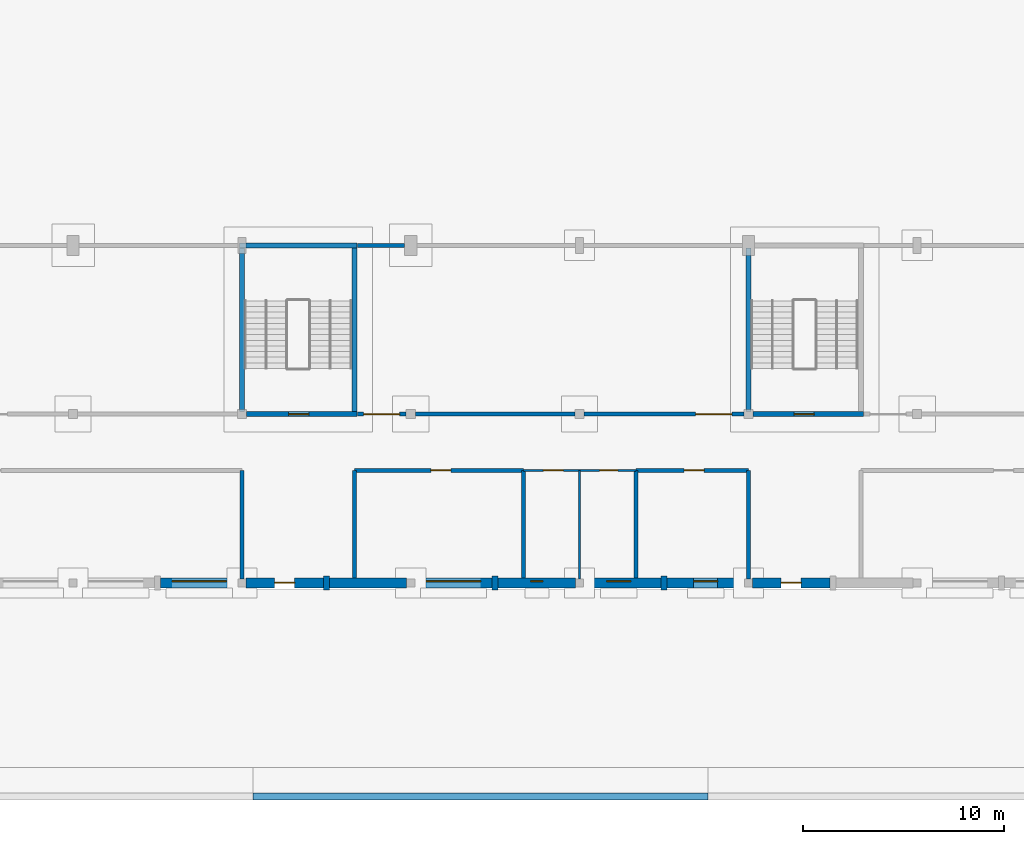
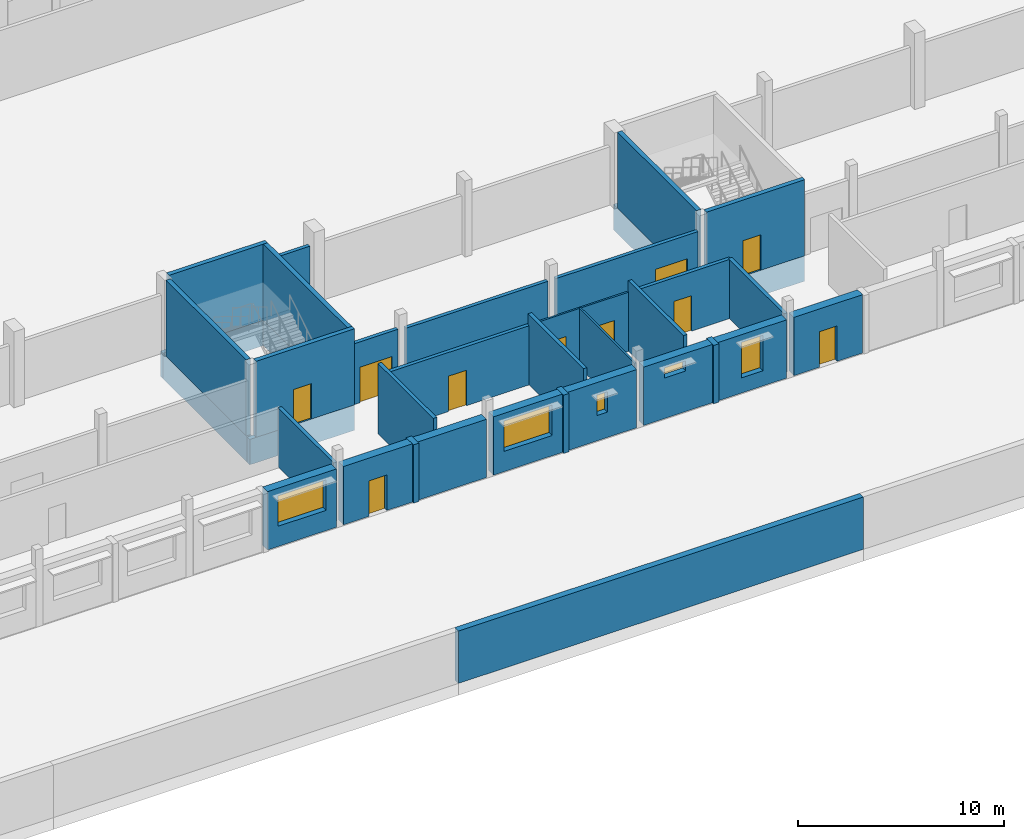
# One storey, part 20 of 36: 37 walls, 10 doors, 5 windows, 15 openings.
"""IFC4 building model written with IfcOpenShell, lengths in metres."""

import ifcopenshell
import ifcopenshell.guid

model = None  # the IFC model being written
_history = None  # IfcOwnerHistory: only IFC2X3 demands one
_inside = {}  # id of a spatial element -> (the spatial element, [elements in it])
_under = {}  # id of a project, library or spatial element -> (it, [spatial elements below it])
_declared = {}  # id of a project -> (the project, [libraries it declares])
_typed = {}  # id of a type object -> (the type object, [elements of that type])
_made_of = {}  # id of a material, layer set ... -> (it, [elements and type objects made of it])


def new_model(schema):
    """Start an empty IFC model of exactly this schema.

    Asked for "IFC4X3", IfcOpenShell would pick the latest addendum, in which some entities
    have other attributes; the version numbers below select the first issue.
    IFC2X3 requires an IfcOwnerHistory on every rooted entity: one is made here for all.
    """
    global model, _history
    if schema == "IFC4X3":
        model = ifcopenshell.file(schema_version=(4, 3, 0, 0))
    else:
        model = ifcopenshell.file(schema=schema)
    _inside.clear()
    _under.clear()
    _declared.clear()
    _typed.clear()
    _made_of.clear()
    _history = None
    if model.schema == "IFC2X3":
        org = make("IfcOrganization", Name="unknown")
        user = make(
            "IfcPersonAndOrganization",
            ThePerson=make("IfcPerson", FamilyName="unknown"),
            TheOrganization=org,
        )
        app = make(
            "IfcApplication",
            ApplicationDeveloper=org,
            Version="unknown",
            ApplicationFullName="unknown",
            ApplicationIdentifier="unknown",
        )
        _history = make(
            "IfcOwnerHistory",
            OwningUser=user,
            OwningApplication=app,
            ChangeAction="ADDED",
            CreationDate=0,
        )
    return model


def make(cls, **values):
    """One entity of the class cls with the attributes given. An attribute that is None is left unset."""
    return model.create_entity(
        cls, **{name: value for name, value in values.items() if value is not None}
    )


def rooted(cls, **values):
    """An entity with a GlobalId (a new one), such as an element, a storey or a relation."""
    return make(cls, GlobalId=ifcopenshell.guid.new(), OwnerHistory=_history, **values)


def si_unit(unit_type, name, prefix=None):
    """IfcSIUnit, for example si_unit("LENGTHUNIT", "METRE", prefix="MILLI")."""
    return make("IfcSIUnit", UnitType=unit_type, Prefix=prefix, Name=name)


def assignment(units):
    """IfcUnitAssignment: the units of a project."""
    return None if units is None else make("IfcUnitAssignment", Units=units)


def point(xyz):
    """IfcCartesianPoint."""
    return None if xyz is None else make("IfcCartesianPoint", Coordinates=xyz)


def direction(xyz):
    """IfcDirection."""
    return None if xyz is None else make("IfcDirection", DirectionRatios=xyz)


def frame(location, z_axis=None, x_axis=None):
    """IfcAxis2Placement3D, a coordinate frame: its origin and axes. An axis left out is left unset."""
    return make(
        "IfcAxis2Placement3D",
        Location=point(location),
        Axis=direction(z_axis),
        RefDirection=direction(x_axis),
    )


def frame_2d(location, x_axis=None):
    """IfcAxis2Placement2D, a coordinate frame in the plane: its origin and x axis."""
    return make(
        "IfcAxis2Placement2D", Location=point(location), RefDirection=direction(x_axis)
    )


def origin():
    """The frame at (0, 0, 0) with its axes left unset."""
    return frame((0.0, 0.0, 0.0))


def place(relative_to, where):
    """IfcLocalPlacement: puts the frame where relative to a parent placement (None: the world)."""
    return make(
        "IfcLocalPlacement", PlacementRelTo=relative_to, RelativePlacement=where
    )


def context(
    kind, dimensions, precision=None, world=None, true_north=None, identifier=None
):
    """IfcGeometricRepresentationContext, for example the 3D "Model" context."""
    return make(
        "IfcGeometricRepresentationContext",
        ContextIdentifier=identifier,
        ContextType=kind,
        CoordinateSpaceDimension=dimensions,
        Precision=precision,
        WorldCoordinateSystem=world,
        TrueNorth=true_north,
    )


def subcontext(parent, identifier, kind, view, scale=None):
    """IfcGeometricRepresentationSubContext, for example "Body" below "Model"."""
    return make(
        "IfcGeometricRepresentationSubContext",
        ContextIdentifier=identifier,
        ContextType=kind,
        ParentContext=parent,
        TargetScale=scale,
        TargetView=view,
    )


def project(units=None, contexts=None):
    """IfcProject with its units and contexts."""
    return rooted(
        "IfcProject",
        Name="project",
        RepresentationContexts=contexts,
        UnitsInContext=assignment(units),
    )


def spatial(cls, under=None, at=None, **own):
    """A site, building, storey or space (cls), placed at a placement, below another one or the project."""
    s = rooted(cls, ObjectPlacement=at, **own)
    if under is not None:
        _under.setdefault(under.id(), (under, []))[1].append(s)
    return s


def profile(cls, at=None, kind="AREA", **sizes):
    """A parametric profile (cls). Its sizes go by their IFC names, for example OverallWidth=200.0."""
    return make(cls, ProfileType=kind, Position=at, **sizes)


def rectangle(**sizes):
    """IfcRectangleProfileDef."""
    return profile("IfcRectangleProfileDef", **sizes)


def extrude(swept, where, along, depth):
    """IfcExtrudedAreaSolid: the profile swept, set in the frame where, extruded along a direction by depth."""
    return make(
        "IfcExtrudedAreaSolid",
        SweptArea=swept,
        Position=where,
        ExtrudedDirection=direction(along),
        Depth=depth,
    )


def shape(context_of_items, identifier, shape_type, items):
    """IfcShapeRepresentation: the items that make up one representation, for example the "Body"."""
    return make(
        "IfcShapeRepresentation",
        ContextOfItems=context_of_items,
        RepresentationIdentifier=identifier,
        RepresentationType=shape_type,
        Items=items,
    )


def material(Name=None, Category=None):
    """IfcMaterial."""
    return make("IfcMaterial", Name=Name, Category=Category)


def layer(
    of_material, thickness, ventilated=None, Name=None, Category=None, Priority=None
):
    """IfcMaterialLayer: one layer of a wall or slab, of a material (None: an air gap)."""
    return make(
        "IfcMaterialLayer",
        Material=of_material,
        LayerThickness=thickness,
        IsVentilated=ventilated,
        Name=Name,
        Category=Category,
        Priority=Priority,
    )


def layer_set(layers, Name=None):
    """IfcMaterialLayerSet."""
    return make("IfcMaterialLayerSet", MaterialLayers=layers, LayerSetName=Name)


def made_of(thing, what):
    """Note that an element or type object is made of a material, layer set ...; save() writes the relation."""
    if what is not None:
        _made_of.setdefault(what.id(), (what, []))[1].append(thing)
    return thing


def type_object(cls, material=None, **own):
    """A type object (cls), such as IfcWallType, which elements share."""
    return made_of(rooted(cls, **own), material)


def element(
    cls,
    number,
    at=None,
    inside=None,
    cuts=None,
    type_object=None,
    material=None,
    context=None,
    identifier="Body",
    shape_type=None,
    held_by="IfcProductDefinitionShape",
    body=None,
    shapes=None,
    **own,
):
    """One element of the class cls, such as IfcWall. Its Tag is "e" and its number.

    at: its placement. inside: the storey or other place that contains it. cuts: it is an
    opening in that element (IfcRelVoidsElement). A single representation is given by context,
    identifier, shape_type and body (its items); several are given by shapes. held_by: the class
    of the entity that holds the representations. save() writes the other relations.
    """
    e = rooted(cls, Tag="e%d" % number, ObjectPlacement=at, **own)
    if body is not None:
        shapes = [shape(context, identifier, shape_type, body)]
    if shapes is not None:
        e.Representation = make(held_by, Representations=shapes)
    if inside is not None:
        _inside.setdefault(inside.id(), (inside, []))[1].append(e)
    if cuts is not None:
        rooted(
            "IfcRelVoidsElement", RelatingBuildingElement=cuts, RelatedOpeningElement=e
        )
    if type_object is not None:
        _typed.setdefault(type_object.id(), (type_object, []))[1].append(e)
    return made_of(e, material)


def fill(opening, filler):
    """IfcRelFillsElement: the door or window that sits in an opening."""
    return rooted(
        "IfcRelFillsElement",
        RelatingOpeningElement=opening,
        RelatedBuildingElement=filler,
    )


def aggregate(whole, parts):
    """IfcRelAggregates: a whole, such as a stair, and the parts it consists of."""
    return rooted("IfcRelAggregates", RelatingObject=whole, RelatedObjects=parts)


def save(model, path):
    """Write the relations noted so far, then the file.

    IfcRelAggregates (storeys below a building ...), IfcRelContainedInSpatialStructure (elements
    in a storey), IfcRelDefinesByType, IfcRelAssociatesMaterial and IfcRelDeclares: one each for
    every whole, place, type object, material and project.
    """
    for whole, parts in _under.values():
        aggregate(whole, parts)
    for where, things in _inside.values():
        rooted(
            "IfcRelContainedInSpatialStructure",
            RelatedElements=things,
            RelatingStructure=where,
        )
    for kind, things in _typed.values():
        rooted("IfcRelDefinesByType", RelatedObjects=things, RelatingType=kind)
    for what, things in _made_of.values():
        rooted("IfcRelAssociatesMaterial", RelatedObjects=things, RelatingMaterial=what)
    for by, libraries in _declared.values():
        rooted("IfcRelDeclares", RelatingContext=by, RelatedDefinitions=libraries)
    model.write(path)


model = new_model("IFC4")

# Units and contexts
model_context = context("Model", 3, precision=1e-05, world=origin(), true_north=direction((0.0, 1.0)))
body_context = subcontext(model_context, "Body", "Model", "MODEL_VIEW")
ifc_project = project(units=[si_unit("LENGTHUNIT", "METRE"), si_unit("AREAUNIT", "SQUARE_METRE"), si_unit("VOLUMEUNIT", "CUBIC_METRE"), si_unit("PLANEANGLEUNIT", "RADIAN"), si_unit("MASSUNIT", "GRAM", prefix="KILO")], contexts=[model_context])

# Site, building, storey
site_placement = place(None, origin())
site = spatial("IfcSite", under=ifc_project, at=site_placement, CompositionType="ELEMENT")
building_placement = place(site_placement, origin())
building = spatial("IfcBuilding", under=site, at=building_placement, Name="Fescue Hill Polytechnic", CompositionType="ELEMENT")
storey_placement = place(building_placement, origin())
storey = spatial("IfcBuildingStorey", under=building, at=storey_placement, Name="L00", CompositionType="ELEMENT", Elevation=0.0)

# Wall, opening, door
ifc_material_1 = material(Name="Concrete 40 MPa", Category="concrete")
ifc_layer_1 = layer(ifc_material_1, 0.25)
ifc_layer_set_1 = layer_set([ifc_layer_1], Name="Concrete 40 MPa")
wall_type_1 = type_object("IfcWallType", Name="Core wall 250", PredefinedType="SHEAR", material=ifc_layer_set_1)
wall_1_placement = place(storey_placement, frame((59.02490234375, 8.39990234375, 0.0), z_axis=(0.0, 0.0, 1.0), x_axis=(1.0, 0.0, 0.0)))
wall_1 = element("IfcWall", 1, at=wall_1_placement, inside=storey, type_object=wall_type_1, Name="CW-L00-ST-V1-3-11", PredefinedType="SHEAR", context=body_context, shape_type="SweptSolid", body=[
    extrude(rectangle(XDim=5.5, YDim=0.25, at=frame_2d((2.75, 0.0))), origin(), (0.0, 0.0, 1.0), 4.5),
])
opening_1_placement = place(wall_1_placement, frame((2.10009765625, 0.0, 0.0)))
opening_1 = element("IfcOpeningElement", 2, at=opening_1_placement, cuts=wall_1, Name="Opening D0072", PredefinedType="OPENING", context=body_context, shape_type="SweptSolid", body=[
    extrude(rectangle(XDim=1.0, YDim=2.10009765625, at=frame_2d((0.5, 1.050048828125))), frame((0.0, 0.135009765625, 0.0), z_axis=(0.0, -1.0, 0.0), x_axis=(1.0, 0.0, 0.0)), (0.0, 0.0, 1.0), 0.27001953125),
])
ifc_material_2 = material(Name="Steel fire door", Category="steel")
door_type_1 = type_object("IfcDoorType", Name="Door single swing 1000x2100 stair fire rated", OperationType="NOTDEFINED", PredefinedType="DOOR", material=ifc_material_2)
door_1_placement = place(opening_1_placement, origin())
door_1 = element("IfcDoor", 3, at=door_1_placement, inside=storey, type_object=door_type_1, Name="L00 ST-V1-3 stair door", OperationType="SINGLE_SWING_RIGHT", OverallHeight=2.10009765625, OverallWidth=1.0, PredefinedType="DOOR", context=body_context, shape_type="SweptSolid", body=[
    extrude(rectangle(XDim=1.0, YDim=2.10009765625, at=frame_2d((0.5, 1.050048828125))), frame((0.0, 0.02490234375, 0.0), z_axis=(0.0, -1.0, 0.0), x_axis=(1.0, 0.0, 0.0)), (0.0, 0.0, 1.0), 0.050048828125),
])
fill(opening_1, door_1)

# Walls
wall_2_placement = place(storey_placement, frame((59.0, 16.800048828125, 0.0), z_axis=(0.0, 0.0, 1.0), x_axis=(1.0, 0.0, 0.0)))
element("IfcWall", 4, at=wall_2_placement, inside=storey, type_object=wall_type_1, Name="CW-L00-ST-V1-3-21", PredefinedType="SHEAR", context=body_context, shape_type="SweptSolid", body=[
    extrude(rectangle(XDim=5.52490234375, YDim=0.25, at=frame_2d((2.762451171875, 0.0))), origin(), (0.0, 0.0, 1.0), 4.5),
])
wall_3_placement = place(storey_placement, frame((58.800048828125, 8.625, 0.0), z_axis=(0.0, 0.0, 1.0), x_axis=(0.0, 1.0, 0.0)))
element("IfcWall", 5, at=wall_3_placement, inside=storey, type_object=wall_type_1, Name="CW-L00-ST-V1-3-31", PredefinedType="SHEAR", context=body_context, shape_type="SweptSolid", body=[
    extrude(rectangle(XDim=7.77490234375, YDim=0.25, at=frame_2d((3.887451171875, 0.0))), origin(), (0.0, 0.0, 1.0), 4.5),
])
wall_4_placement = place(storey_placement, frame((64.39990234375, 8.52490234375, 0.0), z_axis=(0.0, 0.0, 1.0), x_axis=(0.0, 1.0, 0.0)))
element("IfcWall", 6, at=wall_4_placement, inside=storey, type_object=wall_type_1, Name="CW-L00-ST-V1-3-41", PredefinedType="SHEAR", context=body_context, shape_type="SweptSolid", body=[
    extrude(rectangle(XDim=8.150146484375, YDim=0.25, at=frame_2d((4.0751953125, 0.0))), origin(), (0.0, 0.0, 1.0), 4.5),
])

# Wall, opening, door
wall_5_placement = place(storey_placement, frame((84.22509765625, 8.39990234375, 0.0), z_axis=(0.0, 0.0, 1.0), x_axis=(1.0, 0.0, 0.0)))
wall_5 = element("IfcWall", 7, at=wall_5_placement, inside=storey, type_object=wall_type_1, Name="CW-L00-ST-V1-4-11", PredefinedType="SHEAR", context=body_context, shape_type="SweptSolid", body=[
    extrude(rectangle(XDim=5.5, YDim=0.25, at=frame_2d((2.75, 0.0))), origin(), (0.0, 0.0, 1.0), 4.5),
])
opening_2_placement = place(wall_5_placement, frame((2.050048828125, 0.0, 0.0)))
opening_2 = element("IfcOpeningElement", 8, at=opening_2_placement, cuts=wall_5, Name="Opening D0073", PredefinedType="OPENING", context=body_context, shape_type="SweptSolid", body=[
    extrude(rectangle(XDim=1.0, YDim=2.10009765625, at=frame_2d((0.5, 1.050048828125))), frame((0.0, 0.135009765625, 0.0), z_axis=(0.0, -1.0, 0.0), x_axis=(1.0, 0.0, 0.0)), (0.0, 0.0, 1.0), 0.27001953125),
])
door_2_placement = place(opening_2_placement, origin())
door_2 = element("IfcDoor", 9, at=door_2_placement, inside=storey, type_object=door_type_1, Name="L00 ST-V1-4 stair door", OperationType="SINGLE_SWING_LEFT", OverallHeight=2.10009765625, OverallWidth=1.0, PredefinedType="DOOR", context=body_context, shape_type="SweptSolid", body=[
    extrude(rectangle(XDim=1.0, YDim=2.10009765625, at=frame_2d((0.5, 1.050048828125))), frame((0.0, 0.02490234375, 0.0), z_axis=(0.0, -1.0, 0.0), x_axis=(1.0, 0.0, 0.0)), (0.0, 0.0, 1.0), 0.050048828125),
])
fill(opening_2, door_2)

# Walls
wall_6_placement = place(storey_placement, frame((84.0, 8.625, 0.0), z_axis=(0.0, 0.0, 1.0), x_axis=(0.0, 1.0, 0.0)))
element("IfcWall", 10, at=wall_6_placement, inside=storey, type_object=wall_type_1, Name="CW-L00-ST-V1-4-31", PredefinedType="SHEAR", context=body_context, shape_type="SweptSolid", body=[
    extrude(rectangle(XDim=7.675048828125, YDim=0.25, at=frame_2d((3.83740234375, 0.0))), origin(), (0.0, 0.0, 1.0), 4.5),
])
for number, where, z_axis, x_axis, name in (
    (11, (58.675048828125, 8.39990234375, -1.5), (0.0, 0.0, 1.0), (1.0, 0.0, 0.0), "FW-ST-V1-3-1"),
    (12, (58.675048828125, 16.800048828125, -1.5), (0.0, 0.0, 1.0), (1.0, 0.0, 0.0), "FW-ST-V1-3-2"),
):
    element("IfcWall", number, at=place(storey_placement, frame(where, z_axis=z_axis, x_axis=x_axis)), inside=storey, type_object=wall_type_1, Name=name, PredefinedType="SHEAR", context=body_context, shape_type="SweptSolid", body=[
        extrude(rectangle(XDim=5.849853515625, YDim=0.25, at=frame_2d((2.9248046875, 0.0))), origin(), (0.0, 0.0, 1.0), 1.5),
    ])
for number, where, z_axis, x_axis, name in (
    (13, (58.800048828125, 8.52490234375, -1.5), (0.0, 0.0, 1.0), (0.0, 1.0, 0.0), "FW-ST-V1-3-3"),
    (14, (64.39990234375, 8.52490234375, -1.5), (0.0, 0.0, 1.0), (0.0, 1.0, 0.0), "FW-ST-V1-3-4"),
):
    element("IfcWall", number, at=place(storey_placement, frame(where, z_axis=z_axis, x_axis=x_axis)), inside=storey, type_object=wall_type_1, Name=name, PredefinedType="SHEAR", context=body_context, shape_type="SweptSolid", body=[
        extrude(rectangle(XDim=8.150146484375, YDim=0.25, at=frame_2d((4.0751953125, 0.0))), origin(), (0.0, 0.0, 1.0), 1.5),
    ])
wall_7_placement = place(storey_placement, frame((83.875, 8.39990234375, -1.5), z_axis=(0.0, 0.0, 1.0), x_axis=(1.0, 0.0, 0.0)))
element("IfcWall", 15, at=wall_7_placement, inside=storey, type_object=wall_type_1, Name="FW-ST-V1-4-1", PredefinedType="SHEAR", context=body_context, shape_type="SweptSolid", body=[
    extrude(rectangle(XDim=5.85009765625, YDim=0.25, at=frame_2d((2.925048828125, 0.0))), origin(), (0.0, 0.0, 1.0), 1.5),
])
wall_8_placement = place(storey_placement, frame((84.0, 8.52490234375, -1.5), z_axis=(0.0, 0.0, 1.0), x_axis=(0.0, 1.0, 0.0)))
element("IfcWall", 16, at=wall_8_placement, inside=storey, type_object=wall_type_1, Name="FW-ST-V1-4-3", PredefinedType="SHEAR", context=body_context, shape_type="SweptSolid", body=[
    extrude(rectangle(XDim=8.150146484375, YDim=0.25, at=frame_2d((4.0751953125, 0.0))), origin(), (0.0, 0.0, 1.0), 1.5),
])

# Wall, opening, window
ifc_material_3 = material(Name="Clay brick masonry", Category="masonry")
ifc_layer_2 = layer(ifc_material_3, 0.47998046875)
ifc_layer_set_2 = layer_set([ifc_layer_2], Name="Clay brick masonry")
wall_type_2 = type_object("IfcWallType", Name="Exterior wall engineering brick cavity 480", PredefinedType="SOLIDWALL", material=ifc_layer_set_2)
wall_9_placement = place(storey_placement, frame((54.75, 0.0, 0.0), z_axis=(0.0, 0.0, 1.0), x_axis=(1.0, 0.0, 0.0)))
wall_9 = element("IfcWall", 17, at=wall_9_placement, inside=storey, type_object=wall_type_2, Name="EW-L00-V1-36", PredefinedType="SOLIDWALL", context=body_context, shape_type="SweptSolid", body=[
    extrude(rectangle(XDim=3.85009765625, YDim=0.47998046875, at=frame_2d((1.925048828125, 0.0))), origin(), (0.0, 0.0, 1.0), 3.449951171875),
])
opening_3_placement = place(wall_9_placement, frame((0.574951171875, 0.0, 1.199951171875)))
opening_3 = element("IfcOpeningElement", 18, at=opening_3_placement, cuts=wall_9, Name="Opening W15", PredefinedType="OPENING", context=body_context, shape_type="SweptSolid", body=[
    extrude(rectangle(XDim=2.699951171875, YDim=1.800048828125, at=frame_2d((1.35009765625, 0.89990234375))), frame((0.0, 0.25, 0.0), z_axis=(0.0, -1.0, 0.0), x_axis=(1.0, 0.0, 0.0)), (0.0, 0.0, 1.0), 0.5),
])
ifc_material_4 = material(Name="Powder-coated aluminium and glass", Category="aluminium")
window_type_1 = type_object("IfcWindowType", Name="Window workshop bench-level 2700x1800", PartitioningType="TRIPLE_PANEL_VERTICAL", PredefinedType="WINDOW", material=ifc_material_4)
window_1_placement = place(opening_3_placement, origin())
window_1 = element("IfcWindow", 19, at=window_1_placement, inside=storey, type_object=window_type_1, Name="WN-L00-V1-17", OverallHeight=1.800048828125, OverallWidth=2.699951171875, PartitioningType="SINGLE_PANEL", PredefinedType="WINDOW", context=body_context, shape_type="SweptSolid", body=[
    extrude(rectangle(XDim=2.699951171875, YDim=1.800048828125, at=frame_2d((1.35009765625, 0.89990234375))), frame((0.0, 0.1201171875, 0.0), z_axis=(0.0, -1.0, 0.0), x_axis=(1.0, 0.0, 0.0)), (0.0, 0.0, 1.0), 0.06005859375),
])
fill(opening_3, window_1)

# Wall, opening, door
wall_10_placement = place(storey_placement, frame((59.0, 0.0, 0.0), z_axis=(0.0, 0.0, 1.0), x_axis=(1.0, 0.0, 0.0)))
wall_10 = element("IfcWall", 20, at=wall_10_placement, inside=storey, type_object=wall_type_2, Name="EW-L00-V1-37", PredefinedType="SOLIDWALL", context=body_context, shape_type="SweptSolid", body=[
    extrude(rectangle(XDim=3.85009765625, YDim=0.47998046875, at=frame_2d((1.925048828125, 0.0))), origin(), (0.0, 0.0, 1.0), 3.449951171875),
])
opening_4_placement = place(wall_10_placement, frame((1.425048828125, 0.0, 0.0)))
opening_4 = element("IfcOpeningElement", 21, at=opening_4_placement, cuts=wall_10, Name="Opening D0011", PredefinedType="OPENING", context=body_context, shape_type="SweptSolid", body=[
    extrude(rectangle(XDim=1.0, YDim=2.10009765625, at=frame_2d((0.5, 1.050048828125))), frame((0.0, 0.25, 0.0), z_axis=(0.0, -1.0, 0.0), x_axis=(1.0, 0.0, 0.0)), (0.0, 0.0, 1.0), 0.5),
])
ifc_material_5 = material(Name="Hollow metal")
door_type_2 = type_object("IfcDoorType", Name="Door exit single 1000x2100 fire rated", OperationType="SINGLE_SWING_LEFT", PredefinedType="DOOR", material=ifc_material_5)
door_3_placement = place(opening_4_placement, origin())
door_3 = element("IfcDoor", 22, at=door_3_placement, inside=storey, type_object=door_type_2, Name="Door D0011", OperationType="SINGLE_SWING_LEFT", OverallHeight=2.10009765625, OverallWidth=1.0, PredefinedType="DOOR", context=body_context, shape_type="SweptSolid", body=[
    extrude(rectangle(XDim=1.0, YDim=2.10009765625, at=frame_2d((0.5, 1.050048828125))), frame((0.0, 0.02490234375, 0.0), z_axis=(0.0, -1.0, 0.0), x_axis=(1.0, 0.0, 0.0)), (0.0, 0.0, 1.0), 0.050048828125),
])
fill(opening_4, door_3)

# Wall
wall_11_placement = place(storey_placement, frame((63.14990234375, 0.0, 0.0), z_axis=(0.0, 0.0, 1.0), x_axis=(1.0, 0.0, 0.0)))
element("IfcWall", 23, at=wall_11_placement, inside=storey, type_object=wall_type_2, Name="EW-L00-V1-38", PredefinedType="SOLIDWALL", context=body_context, shape_type="SweptSolid", body=[
    extrude(rectangle(XDim=3.85009765625, YDim=0.47998046875, at=frame_2d((1.925048828125, 0.0))), origin(), (0.0, 0.0, 1.0), 3.449951171875),
])

# Wall, opening, window
wall_12_placement = place(storey_placement, frame((67.39990234375, 0.0, 0.0), z_axis=(0.0, 0.0, 1.0), x_axis=(1.0, 0.0, 0.0)))
wall_12 = element("IfcWall", 24, at=wall_12_placement, inside=storey, type_object=wall_type_2, Name="EW-L00-V1-39", PredefinedType="SOLIDWALL", context=body_context, shape_type="SweptSolid", body=[
    extrude(rectangle(XDim=3.85009765625, YDim=0.47998046875, at=frame_2d((1.925048828125, 0.0))), origin(), (0.0, 0.0, 1.0), 3.449951171875),
])
opening_5_placement = place(wall_12_placement, frame((0.574951171875, 0.0, 1.199951171875)))
opening_5 = element("IfcOpeningElement", 25, at=opening_5_placement, cuts=wall_12, Name="Opening W15", PredefinedType="OPENING", context=body_context, shape_type="SweptSolid", body=[
    extrude(rectangle(XDim=2.699951171875, YDim=1.800048828125, at=frame_2d((1.35009765625, 0.89990234375))), frame((0.0, 0.25, 0.0), z_axis=(0.0, -1.0, 0.0), x_axis=(1.0, 0.0, 0.0)), (0.0, 0.0, 1.0), 0.5),
])
window_2_placement = place(opening_5_placement, origin())
window_2 = element("IfcWindow", 26, at=window_2_placement, inside=storey, type_object=window_type_1, Name="WN-L00-V1-18", OverallHeight=1.800048828125, OverallWidth=2.699951171875, PartitioningType="SINGLE_PANEL", PredefinedType="WINDOW", context=body_context, shape_type="SweptSolid", body=[
    extrude(rectangle(XDim=2.699951171875, YDim=1.800048828125, at=frame_2d((1.35009765625, 0.89990234375))), frame((0.0, 0.1201171875, 0.0), z_axis=(0.0, -1.0, 0.0), x_axis=(1.0, 0.0, 0.0)), (0.0, 0.0, 1.0), 0.06005859375),
])
fill(opening_5, window_2)

wall_13_placement = place(storey_placement, frame((71.550048828125, 0.0, 0.0), z_axis=(0.0, 0.0, 1.0), x_axis=(1.0, 0.0, 0.0)))
wall_13 = element("IfcWall", 27, at=wall_13_placement, inside=storey, type_object=wall_type_2, Name="EW-L00-V1-40", PredefinedType="SOLIDWALL", context=body_context, shape_type="SweptSolid", body=[
    extrude(rectangle(XDim=3.849853515625, YDim=0.47998046875, at=frame_2d((1.9248046875, 0.0))), origin(), (0.0, 0.0, 1.0), 3.449951171875),
])
opening_6_placement = place(wall_13_placement, frame((1.625, 0.0, 1.5)))
opening_6 = element("IfcOpeningElement", 28, at=opening_6_placement, cuts=wall_13, Name="Opening W11", PredefinedType="OPENING", context=body_context, shape_type="SweptSolid", body=[
    extrude(rectangle(XDim=0.60009765625, YDim=1.199951171875, at=frame_2d((0.300048828125, 0.60009765625))), frame((0.0, 0.25, 0.0), z_axis=(0.0, -1.0, 0.0), x_axis=(1.0, 0.0, 0.0)), (0.0, 0.0, 1.0), 0.5),
])
window_type_2 = type_object("IfcWindowType", Name="Window WC high-level 600x1200", PartitioningType="SINGLE_PANEL", PredefinedType="WINDOW", material=ifc_material_4)
window_3_placement = place(opening_6_placement, origin())
window_3 = element("IfcWindow", 29, at=window_3_placement, inside=storey, type_object=window_type_2, Name="WN-L00-V1-19", OverallHeight=1.199951171875, OverallWidth=0.60009765625, PartitioningType="SINGLE_PANEL", PredefinedType="WINDOW", context=body_context, shape_type="SweptSolid", body=[
    extrude(rectangle(XDim=0.60009765625, YDim=1.199951171875, at=frame_2d((0.300048828125, 0.60009765625))), frame((0.0, 0.1201171875, 0.0), z_axis=(0.0, -1.0, 0.0), x_axis=(1.0, 0.0, 0.0)), (0.0, 0.0, 1.0), 0.06005859375),
])
fill(opening_6, window_3)

wall_14_placement = place(storey_placement, frame((75.800048828125, 0.0, 0.0), z_axis=(0.0, 0.0, 1.0), x_axis=(1.0, 0.0, 0.0)))
wall_14 = element("IfcWall", 30, at=wall_14_placement, inside=storey, type_object=wall_type_2, Name="EW-L00-V1-41", PredefinedType="SOLIDWALL", context=body_context, shape_type="SweptSolid", body=[
    extrude(rectangle(XDim=3.849853515625, YDim=0.47998046875, at=frame_2d((1.9248046875, 0.0))), origin(), (0.0, 0.0, 1.0), 3.449951171875),
])
opening_7_placement = place(wall_14_placement, frame((1.14990234375, 0.0, 2.39990234375)))
opening_7 = element("IfcOpeningElement", 31, at=opening_7_placement, cuts=wall_14, Name="Opening W12", PredefinedType="OPENING", context=body_context, shape_type="SweptSolid", body=[
    extrude(rectangle(XDim=1.199951171875, YDim=0.60009765625, at=frame_2d((0.60009765625, 0.300048828125))), frame((0.0, 0.25, 0.0), z_axis=(0.0, -1.0, 0.0), x_axis=(1.0, 0.0, 0.0)), (0.0, 0.0, 1.0), 0.5),
])
window_type_3 = type_object("IfcWindowType", Name="Window plant and store high-level 1200x600", PartitioningType="SINGLE_PANEL", PredefinedType="WINDOW", material=ifc_material_4)
window_4_placement = place(opening_7_placement, origin())
window_4 = element("IfcWindow", 32, at=window_4_placement, inside=storey, type_object=window_type_3, Name="WN-L00-V1-20", OverallHeight=0.60009765625, OverallWidth=1.199951171875, PartitioningType="SINGLE_PANEL", PredefinedType="WINDOW", context=body_context, shape_type="SweptSolid", body=[
    extrude(rectangle(XDim=1.199951171875, YDim=0.60009765625, at=frame_2d((0.60009765625, 0.300048828125))), frame((0.0, 0.1201171875, 0.0), z_axis=(0.0, -1.0, 0.0), x_axis=(1.0, 0.0, 0.0)), (0.0, 0.0, 1.0), 0.06005859375),
])
fill(opening_7, window_4)

wall_15_placement = place(storey_placement, frame((79.949951171875, 0.0, 0.0), z_axis=(0.0, 0.0, 1.0), x_axis=(1.0, 0.0, 0.0)))
wall_15 = element("IfcWall", 33, at=wall_15_placement, inside=storey, type_object=wall_type_2, Name="EW-L00-V1-42", PredefinedType="SOLIDWALL", context=body_context, shape_type="SweptSolid", body=[
    extrude(rectangle(XDim=3.85009765625, YDim=0.47998046875, at=frame_2d((1.925048828125, 0.0))), origin(), (0.0, 0.0, 1.0), 3.449951171875),
])
opening_8_placement = place(wall_15_placement, frame((1.324951171875, 0.0, 0.89990234375)))
opening_8 = element("IfcOpeningElement", 34, at=opening_8_placement, cuts=wall_15, Name="Opening W13", PredefinedType="OPENING", context=body_context, shape_type="SweptSolid", body=[
    extrude(rectangle(XDim=1.199951171875, YDim=2.10009765625, at=frame_2d((0.60009765625, 1.050048828125))), frame((0.0, 0.25, 0.0), z_axis=(0.0, -1.0, 0.0), x_axis=(1.0, 0.0, 0.0)), (0.0, 0.0, 1.0), 0.5),
])
window_type_4 = type_object("IfcWindowType", Name="Window cellular office 1200x2100", PartitioningType="SINGLE_PANEL", PredefinedType="WINDOW", material=ifc_material_4)
window_5_placement = place(opening_8_placement, origin())
window_5 = element("IfcWindow", 35, at=window_5_placement, inside=storey, type_object=window_type_4, Name="WN-L00-V1-21", OverallHeight=2.10009765625, OverallWidth=1.199951171875, PartitioningType="SINGLE_PANEL", PredefinedType="WINDOW", context=body_context, shape_type="SweptSolid", body=[
    extrude(rectangle(XDim=1.199951171875, YDim=2.10009765625, at=frame_2d((0.60009765625, 1.050048828125))), frame((0.0, 0.1201171875, 0.0), z_axis=(0.0, -1.0, 0.0), x_axis=(1.0, 0.0, 0.0)), (0.0, 0.0, 1.0), 0.06005859375),
])
fill(opening_8, window_5)

# Wall, opening, door
wall_16_placement = place(storey_placement, frame((84.199951171875, 0.0, 0.0), z_axis=(0.0, 0.0, 1.0), x_axis=(1.0, 0.0, 0.0)))
wall_16 = element("IfcWall", 36, at=wall_16_placement, inside=storey, type_object=wall_type_2, Name="EW-L00-V1-43", PredefinedType="SOLIDWALL", context=body_context, shape_type="SweptSolid", body=[
    extrude(rectangle(XDim=3.85009765625, YDim=0.47998046875, at=frame_2d((1.925048828125, 0.0))), origin(), (0.0, 0.0, 1.0), 3.449951171875),
])
opening_9_placement = place(wall_16_placement, frame((1.425048828125, 0.0, 0.0)))
opening_9 = element("IfcOpeningElement", 37, at=opening_9_placement, cuts=wall_16, Name="Opening D0012", PredefinedType="OPENING", context=body_context, shape_type="SweptSolid", body=[
    extrude(rectangle(XDim=1.0, YDim=2.10009765625, at=frame_2d((0.5, 1.050048828125))), frame((0.0, 0.25, 0.0), z_axis=(0.0, -1.0, 0.0), x_axis=(1.0, 0.0, 0.0)), (0.0, 0.0, 1.0), 0.5),
])
door_4_placement = place(opening_9_placement, origin())
door_4 = element("IfcDoor", 38, at=door_4_placement, inside=storey, type_object=door_type_2, Name="Door D0012", OperationType="SINGLE_SWING_LEFT", OverallHeight=2.10009765625, OverallWidth=1.0, PredefinedType="DOOR", context=body_context, shape_type="SweptSolid", body=[
    extrude(rectangle(XDim=1.0, YDim=2.10009765625, at=frame_2d((0.5, 1.050048828125))), frame((0.0, 0.02490234375, 0.0), z_axis=(0.0, -1.0, 0.0), x_axis=(1.0, 0.0, 0.0)), (0.0, 0.0, 1.0), 0.050048828125),
])
fill(opening_9, door_4)

# Walls
ifc_layer_3 = layer(ifc_material_1, 0.699951171875)
ifc_layer_set_3 = layer_set([ifc_layer_3], Name="Concrete 40 MPa")
wall_type_3 = type_object("IfcWallType", Name="Fin wall board-marked 300x700", PredefinedType="SOLIDWALL", material=ifc_layer_set_3)
wall_17_placement = place(storey_placement, frame((62.85009765625, 0.0, 0.0), z_axis=(0.0, 0.0, 1.0), x_axis=(1.0, 0.0, 0.0)))
element("IfcWall", 39, at=wall_17_placement, inside=storey, type_object=wall_type_3, Name="PR-L00-V1-18", PredefinedType="SOLIDWALL", context=body_context, shape_type="SweptSolid", body=[
    extrude(rectangle(XDim=0.2998046875, YDim=0.699951171875, at=frame_2d((0.14990234375, 0.0))), origin(), (0.0, 0.0, 1.0), 3.449951171875),
])
for number, where, z_axis, x_axis, name in (
    (40, (71.25, 0.0, 0.0), (0.0, 0.0, 1.0), (1.0, 0.0, 0.0), "PR-L00-V1-19"),
    (41, (79.64990234375, 0.0, 0.0), (0.0, 0.0, 1.0), (1.0, 0.0, 0.0), "PR-L00-V1-20"),
):
    element("IfcWall", number, at=place(storey_placement, frame(where, z_axis=z_axis, x_axis=x_axis)), inside=storey, type_object=wall_type_3, Name=name, PredefinedType="SOLIDWALL", context=body_context, shape_type="SweptSolid", body=[
        extrude(rectangle(XDim=0.300048828125, YDim=0.699951171875, at=frame_2d((0.14990234375, 0.0))), origin(), (0.0, 0.0, 1.0), 3.449951171875),
    ])
ifc_material_6 = material(Name="Concrete 35 MPa", Category="concrete")
ifc_layer_4 = layer(ifc_material_6, 0.35009765625)
ifc_layer_set_4 = layer_set([ifc_layer_4], Name="Concrete 35 MPa")
wall_type_4 = type_object("IfcWallType", Name="Retaining wall 350", PredefinedType="SOLIDWALL", material=ifc_layer_set_4)
wall_18_placement = place(storey_placement, frame((59.339111328125, -10.617919921875, -3.10009765625), z_axis=(0.0, 0.0, 1.0), x_axis=(1.0, 0.0, 0.0)))
element("IfcWall", 42, at=wall_18_placement, inside=storey, type_object=wall_type_4, Name="RT-PW34", PredefinedType="SOLIDWALL", context=body_context, shape_type="SweptSolid", body=[
    extrude(rectangle(XDim=22.660888671875, YDim=0.35009765625, at=frame_2d((11.33056640625, 0.0))), origin(), (0.0, 0.0, 1.0), 3.10009765625),
])

# Wall, openings, doors
ifc_material_7 = material(Name="Gypsum board partition")
ifc_layer_5 = layer(ifc_material_7, 0.10009765625)
ifc_layer_set_5 = layer_set([ifc_layer_5], Name="Gypsum board partition")
wall_type_5 = type_object("IfcWallType", Name="WC partition 100 moisture resistant", PredefinedType="PARTITIONING", material=ifc_layer_set_5)
wall_19_placement = place(storey_placement, frame((72.800048828125, 5.60009765625, 0.0), z_axis=(0.0, 0.0, 1.0), x_axis=(1.0, 0.0, 0.0)))
wall_19 = element("IfcWall", 43, at=wall_19_placement, inside=storey, type_object=wall_type_5, Name="IW-L00-005", PredefinedType="PARTITIONING", context=body_context, shape_type="SweptSolid", body=[
    extrude(rectangle(XDim=5.599853515625, YDim=0.10009765625, at=frame_2d((2.7998046875, 0.0))), origin(), (0.0, 0.0, 1.0), 3.5),
])
opening_10_placement = place(wall_19_placement, frame((1.0, 0.0, 0.0)))
opening_10 = element("IfcOpeningElement", 44, at=opening_10_placement, cuts=wall_19, Name="Opening D0033", PredefinedType="OPENING", context=body_context, shape_type="SweptSolid", body=[
    extrude(rectangle(XDim=1.0, YDim=2.10009765625, at=frame_2d((0.5, 1.050048828125))), frame((0.0, 0.06005859375, 0.0), z_axis=(0.0, -1.0, 0.0), x_axis=(1.0, 0.0, 0.0)), (0.0, 0.0, 1.0), 0.1201171875),
])
opening_11_placement = place(wall_19_placement, frame((3.800048828125, 0.0, 0.0)))
opening_11 = element("IfcOpeningElement", 45, at=opening_11_placement, cuts=wall_19, Name="Opening D0034", PredefinedType="OPENING", context=body_context, shape_type="SweptSolid", body=[
    extrude(rectangle(XDim=0.89990234375, YDim=2.10009765625, at=frame_2d((0.449951171875, 1.050048828125))), frame((0.0, 0.06005859375, 0.0), z_axis=(0.0, -1.0, 0.0), x_axis=(1.0, 0.0, 0.0)), (0.0, 0.0, 1.0), 0.1201171875),
])
ifc_material_8 = material(Name="Timber", Category="wood")
door_type_3 = type_object("IfcDoorType", Name="Door single swing 1000x2100 accessible WC", OperationType="SINGLE_SWING_LEFT", PredefinedType="DOOR", material=ifc_material_8)
door_5_placement = place(opening_10_placement, origin())
door_5 = element("IfcDoor", 46, at=door_5_placement, inside=storey, type_object=door_type_3, Name="Door D0033", OperationType="SINGLE_SWING_LEFT", OverallHeight=2.10009765625, OverallWidth=1.0, PredefinedType="DOOR", context=body_context, shape_type="SweptSolid", body=[
    extrude(rectangle(XDim=1.0, YDim=2.10009765625, at=frame_2d((0.5, 1.050048828125))), frame((0.0, 0.02490234375, 0.0), z_axis=(0.0, -1.0, 0.0), x_axis=(1.0, 0.0, 0.0)), (0.0, 0.0, 1.0), 0.050048828125),
])
fill(opening_10, door_5)
door_type_4 = type_object("IfcDoorType", Name="Door single swing 900x2100 store", OperationType="SINGLE_SWING_LEFT", PredefinedType="DOOR", material=ifc_material_8)
door_6_placement = place(opening_11_placement, origin())
door_6 = element("IfcDoor", 47, at=door_6_placement, inside=storey, type_object=door_type_4, Name="Door D0034", OperationType="SINGLE_SWING_RIGHT", OverallHeight=2.10009765625, OverallWidth=0.89990234375, PredefinedType="DOOR", context=body_context, shape_type="SweptSolid", body=[
    extrude(rectangle(XDim=0.89990234375, YDim=2.10009765625, at=frame_2d((0.449951171875, 1.050048828125))), frame((0.0, 0.02490234375, 0.0), z_axis=(0.0, -1.0, 0.0), x_axis=(1.0, 0.0, 0.0)), (0.0, 0.0, 1.0), 0.050048828125),
])
fill(opening_11, door_6)

# Wall
wall_20_placement = place(storey_placement, frame((75.60009765625, 0.199951171875, 0.0), z_axis=(0.0, 0.0, 1.0), x_axis=(0.0, 1.0, 0.0)))
element("IfcWall", 48, at=wall_20_placement, inside=storey, type_object=wall_type_5, Name="IW-L00-082", PredefinedType="PARTITIONING", context=body_context, shape_type="SweptSolid", body=[
    extrude(rectangle(XDim=5.400146484375, YDim=0.10009765625, at=frame_2d((2.7001953125, 0.0))), origin(), (0.0, 0.0, 1.0), 3.5),
])

# Wall, opening, door
ifc_material_9 = material(Name="Concrete masonry block 15 MPa", Category="masonry")
ifc_layer_6 = layer(ifc_material_9, 0.199951171875)
ifc_layer_set_6 = layer_set([ifc_layer_6], Name="Concrete masonry block 15 MPa")
wall_type_6 = type_object("IfcWallType", Name="Workshop wall 200 block EI 60", PredefinedType="PARTITIONING", material=ifc_layer_set_6)
wall_21_placement = place(storey_placement, frame((64.39990234375, 5.60009765625, 0.0), z_axis=(0.0, 0.0, 1.0), x_axis=(1.0, 0.0, 0.0)))
wall_21 = element("IfcWall", 49, at=wall_21_placement, inside=storey, type_object=wall_type_6, Name="IW-L00-007", PredefinedType="PARTITIONING", context=body_context, shape_type="SweptSolid", body=[
    extrude(rectangle(XDim=8.400146484375, YDim=0.199951171875, at=frame_2d((4.2001953125, 0.0))), origin(), (0.0, 0.0, 1.0), 3.5),
])
opening_12_placement = place(wall_21_placement, frame((3.800048828125, 0.0, 0.0)))
opening_12 = element("IfcOpeningElement", 50, at=opening_12_placement, cuts=wall_21, Name="Opening D0032", PredefinedType="OPENING", context=body_context, shape_type="SweptSolid", body=[
    extrude(rectangle(XDim=1.0, YDim=2.10009765625, at=frame_2d((0.5, 1.050048828125))), frame((0.0, 0.10986328125, 0.0), z_axis=(0.0, -1.0, 0.0), x_axis=(1.0, 0.0, 0.0)), (0.0, 0.0, 1.0), 0.219970703125),
])
ifc_material_10 = material(Name="Steel", Category="steel")
door_type_5 = type_object("IfcDoorType", Name="Door single swing 1000x2100 FD60", OperationType="SINGLE_SWING_LEFT", PredefinedType="DOOR", material=ifc_material_10)
door_7_placement = place(opening_12_placement, origin())
door_7 = element("IfcDoor", 51, at=door_7_placement, inside=storey, type_object=door_type_5, Name="Door D0032", OperationType="SINGLE_SWING_RIGHT", OverallHeight=2.10009765625, OverallWidth=1.0, PredefinedType="DOOR", context=body_context, shape_type="SweptSolid", body=[
    extrude(rectangle(XDim=1.0, YDim=2.10009765625, at=frame_2d((0.5, 1.050048828125))), frame((0.0, 0.02490234375, 0.0), z_axis=(0.0, -1.0, 0.0), x_axis=(1.0, 0.0, 0.0)), (0.0, 0.0, 1.0), 0.050048828125),
])
fill(opening_12, door_7)

wall_22_placement = place(storey_placement, frame((78.39990234375, 5.60009765625, 0.0), z_axis=(0.0, 0.0, 1.0), x_axis=(1.0, 0.0, 0.0)))
wall_22 = element("IfcWall", 52, at=wall_22_placement, inside=storey, type_object=wall_type_6, Name="IW-L00-008", PredefinedType="PARTITIONING", context=body_context, shape_type="SweptSolid", body=[
    extrude(rectangle(XDim=5.60009765625, YDim=0.199951171875, at=frame_2d((2.800048828125, 0.0))), origin(), (0.0, 0.0, 1.0), 3.5),
])
opening_13_placement = place(wall_22_placement, frame((2.39990234375, 0.0, 0.0)))
opening_13 = element("IfcOpeningElement", 53, at=opening_13_placement, cuts=wall_22, Name="Opening D0035", PredefinedType="OPENING", context=body_context, shape_type="SweptSolid", body=[
    extrude(rectangle(XDim=1.0, YDim=2.10009765625, at=frame_2d((0.5, 1.050048828125))), frame((0.0, 0.10986328125, 0.0), z_axis=(0.0, -1.0, 0.0), x_axis=(1.0, 0.0, 0.0)), (0.0, 0.0, 1.0), 0.219970703125),
])
door_8_placement = place(opening_13_placement, origin())
door_8 = element("IfcDoor", 54, at=door_8_placement, inside=storey, type_object=door_type_5, Name="Door D0035", OperationType="SINGLE_SWING_RIGHT", OverallHeight=2.10009765625, OverallWidth=1.0, PredefinedType="DOOR", context=body_context, shape_type="SweptSolid", body=[
    extrude(rectangle(XDim=1.0, YDim=2.10009765625, at=frame_2d((0.5, 1.050048828125))), frame((0.0, 0.02490234375, 0.0), z_axis=(0.0, -1.0, 0.0), x_axis=(1.0, 0.0, 0.0)), (0.0, 0.0, 1.0), 0.050048828125),
])
fill(opening_13, door_8)

wall_23_placement = place(storey_placement, frame((64.550048828125, 8.39990234375, 0.0), z_axis=(0.0, 0.0, 1.0), x_axis=(1.0, 0.0, 0.0)))
wall_23 = element("IfcWall", 55, at=wall_23_placement, inside=storey, type_object=wall_type_6, Name="IW-L00-018", PredefinedType="PARTITIONING", context=body_context, shape_type="SweptSolid", body=[
    extrude(rectangle(XDim=2.425048828125, YDim=0.199951171875, at=frame_2d((1.21240234375, 0.0))), origin(), (0.0, 0.0, 1.0), 3.60009765625),
])
opening_14_placement = place(wall_23_placement, frame((0.300048828125, 0.0, 0.0)))
opening_14 = element("IfcOpeningElement", 56, at=opening_14_placement, cuts=wall_23, Name="Opening D0042", PredefinedType="OPENING", context=body_context, shape_type="SweptSolid", body=[
    extrude(rectangle(XDim=1.800048828125, YDim=2.10009765625, at=frame_2d((0.89990234375, 1.050048828125))), frame((0.0, 0.10986328125, 0.0), z_axis=(0.0, -1.0, 0.0), x_axis=(1.0, 0.0, 0.0)), (0.0, 0.0, 1.0), 0.219970703125),
])
door_type_6 = type_object("IfcDoorType", Name="Door double swing 1800x2100 FD60", OperationType="DOUBLE_DOOR_SINGLE_SWING", PredefinedType="DOOR", material=ifc_material_10)
door_9_placement = place(opening_14_placement, origin())
door_9 = element("IfcDoor", 57, at=door_9_placement, inside=storey, type_object=door_type_6, Name="Door D0042", OperationType="DOUBLE_DOOR_SINGLE_SWING", OverallHeight=2.10009765625, OverallWidth=1.800048828125, PredefinedType="DOOR", context=body_context, shape_type="SweptSolid", body=[
    extrude(rectangle(XDim=1.800048828125, YDim=2.10009765625, at=frame_2d((0.89990234375, 1.050048828125))), frame((0.0, 0.02490234375, 0.0), z_axis=(0.0, -1.0, 0.0), x_axis=(1.0, 0.0, 0.0)), (0.0, 0.0, 1.0), 0.050048828125),
])
fill(opening_14, door_9)

# Wall
wall_24_placement = place(storey_placement, frame((67.425048828125, 8.39990234375, 0.0), z_axis=(0.0, 0.0, 1.0), x_axis=(1.0, 0.0, 0.0)))
element("IfcWall", 58, at=wall_24_placement, inside=storey, type_object=wall_type_6, Name="IW-L00-019", PredefinedType="PARTITIONING", context=body_context, shape_type="SweptSolid", body=[
    extrude(rectangle(XDim=7.949951171875, YDim=0.199951171875, at=frame_2d((3.97509765625, 0.0))), origin(), (0.0, 0.0, 1.0), 3.5),
])

# Wall, opening, door
wall_25_placement = place(storey_placement, frame((75.824951171875, 8.39990234375, 0.0), z_axis=(0.0, 0.0, 1.0), x_axis=(1.0, 0.0, 0.0)))
wall_25 = element("IfcWall", 59, at=wall_25_placement, inside=storey, type_object=wall_type_6, Name="IW-L00-020", PredefinedType="PARTITIONING", context=body_context, shape_type="SweptSolid", body=[
    extrude(rectangle(XDim=7.949951171875, YDim=0.199951171875, at=frame_2d((3.97509765625, 0.0))), origin(), (0.0, 0.0, 1.0), 3.5),
])
opening_15_placement = place(wall_25_placement, frame((5.550048828125, 0.0, 0.0)))
opening_15 = element("IfcOpeningElement", 60, at=opening_15_placement, cuts=wall_25, Name="Opening D0043", PredefinedType="OPENING", context=body_context, shape_type="SweptSolid", body=[
    extrude(rectangle(XDim=1.800048828125, YDim=2.10009765625, at=frame_2d((0.89990234375, 1.050048828125))), frame((0.0, 0.10986328125, 0.0), z_axis=(0.0, -1.0, 0.0), x_axis=(1.0, 0.0, 0.0)), (0.0, 0.0, 1.0), 0.219970703125),
])
door_10_placement = place(opening_15_placement, origin())
door_10 = element("IfcDoor", 61, at=door_10_placement, inside=storey, type_object=door_type_6, Name="Door D0043", OperationType="DOUBLE_DOOR_SINGLE_SWING", OverallHeight=2.10009765625, OverallWidth=1.800048828125, PredefinedType="DOOR", context=body_context, shape_type="SweptSolid", body=[
    extrude(rectangle(XDim=1.800048828125, YDim=2.10009765625, at=frame_2d((0.89990234375, 1.050048828125))), frame((0.0, 0.02490234375, 0.0), z_axis=(0.0, -1.0, 0.0), x_axis=(1.0, 0.0, 0.0)), (0.0, 0.0, 1.0), 0.050048828125),
])
fill(opening_15, door_10)

# Walls
wall_26_placement = place(storey_placement, frame((64.550048828125, 16.800048828125, 0.0), z_axis=(0.0, 0.0, 1.0), x_axis=(1.0, 0.0, 0.0)))
element("IfcWall", 62, at=wall_26_placement, inside=storey, type_object=wall_type_6, Name="IW-L00-032", PredefinedType="PARTITIONING", context=body_context, shape_type="SweptSolid", body=[
    extrude(rectangle(XDim=2.349853515625, YDim=0.199951171875, at=frame_2d((1.1748046875, 0.0))), origin(), (0.0, 0.0, 1.0), 3.449951171875),
])
wall_27_placement = place(storey_placement, frame((58.800048828125, 0.199951171875, 0.0), z_axis=(0.0, 0.0, 1.0), x_axis=(0.0, 1.0, 0.0)))
element("IfcWall", 63, at=wall_27_placement, inside=storey, type_object=wall_type_6, Name="IW-L00-079", PredefinedType="PARTITIONING", context=body_context, shape_type="SweptSolid", body=[
    extrude(rectangle(XDim=5.400146484375, YDim=0.199951171875, at=frame_2d((2.7001953125, 0.0))), origin(), (0.0, 0.0, 1.0), 3.5),
])
for number, where, z_axis, x_axis, name in (
    (64, (64.39990234375, 0.239990234375, 0.0), (0.0, 0.0, 1.0), (0.0, 1.0, 0.0), "IW-L00-080"),
    (65, (72.800048828125, 0.239990234375, 0.0), (0.0, 0.0, 1.0), (0.0, 1.0, 0.0), "IW-L00-081"),
    (66, (78.39990234375, 0.239990234375, 0.0), (0.0, 0.0, 1.0), (0.0, 1.0, 0.0), "IW-L00-085"),
):
    element("IfcWall", number, at=place(storey_placement, frame(where, z_axis=z_axis, x_axis=x_axis)), inside=storey, type_object=wall_type_6, Name=name, PredefinedType="PARTITIONING", context=body_context, shape_type="SweptSolid", body=[
        extrude(rectangle(XDim=5.360107421875, YDim=0.199951171875, at=frame_2d((2.68017578125, 0.0))), origin(), (0.0, 0.0, 1.0), 4.14990234375),
    ])
wall_28_placement = place(storey_placement, frame((84.0, 0.199951171875, 0.0), z_axis=(0.0, 0.0, 1.0), x_axis=(0.0, 1.0, 0.0)))
element("IfcWall", 67, at=wall_28_placement, inside=storey, type_object=wall_type_6, Name="IW-L00-087", PredefinedType="PARTITIONING", context=body_context, shape_type="SweptSolid", body=[
    extrude(rectangle(XDim=5.400146484375, YDim=0.199951171875, at=frame_2d((2.7001953125, 0.0))), origin(), (0.0, 0.0, 1.0), 3.5),
])

save(model, "model.ifc")
